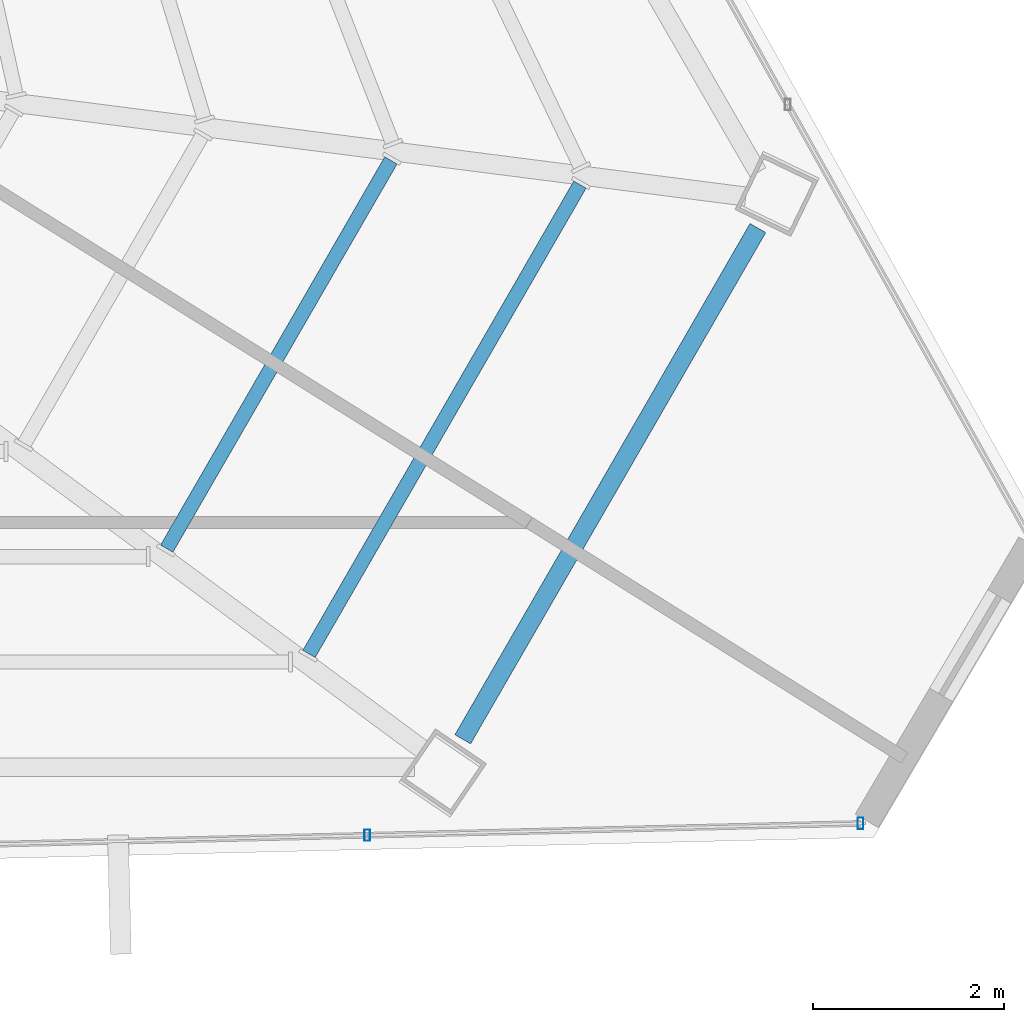
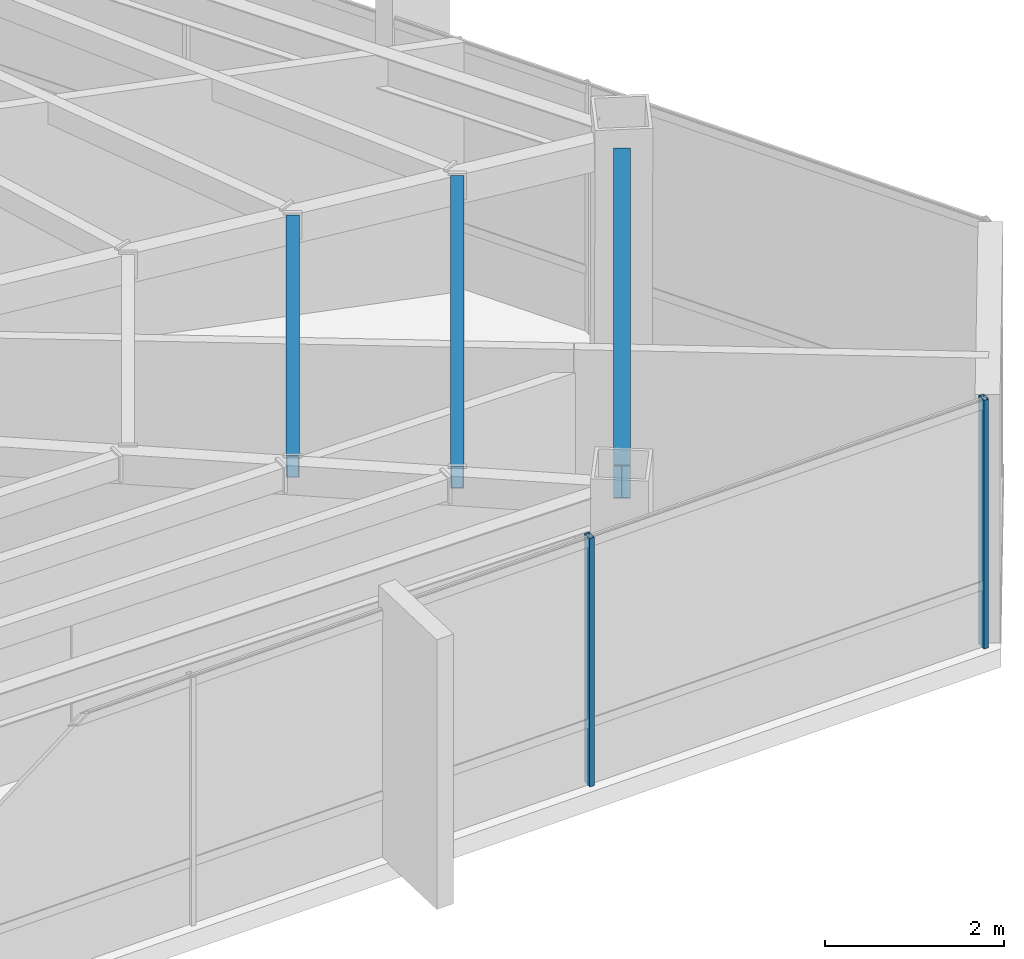
# One storey, part 21 of 48: 3 beams, 2 members, 1 element without a shape of its own.
"""IFC4 building model written with IfcOpenShell, lengths in metres."""

from ifc_helpers import new_model, si_unit, direction, frame, origin, origin_2d, place, context, subcontext, project, spatial, hollow_rectangle, i_section, extrude, source, transform, mapped, material, material_profile, profile_set, type_object, type_shapes, element, aggregate, save


model = new_model("IFC4")

# Units and contexts
model_context = context("Model", 3, precision=1e-05, world=origin(), true_north=direction((0.0, 1.0)))
body_context = subcontext(model_context, "Body", "Model", "MODEL_VIEW")
ifc_project = project(units=[si_unit("LENGTHUNIT", "METRE"), si_unit("AREAUNIT", "SQUARE_METRE"), si_unit("VOLUMEUNIT", "CUBIC_METRE"), si_unit("PLANEANGLEUNIT", "RADIAN"), si_unit("MASSUNIT", "GRAM", prefix="KILO")], contexts=[model_context])

# Site, building, storey
site_placement = place(None, origin())
site = spatial("IfcSite", under=ifc_project, at=site_placement, CompositionType="ELEMENT")
building_placement = place(site_placement, origin())
building = spatial("IfcBuilding", under=site, at=building_placement, Name="Caelisora Broadcast Tower", CompositionType="ELEMENT")
storey_placement = place(building_placement, frame((0.0, 0.0, 270.0)))
storey = spatial("IfcBuildingStorey", under=building, at=storey_placement, Name="L71", CompositionType="ELEMENT", Elevation=270.0)

# Beams
ifc_material_1 = material(Name="Steel Grade 350 (AS/NZS 3679.1)", Category="steel")
ifc_material_profile_1 = material_profile(ifc_material_1, i_section(OverallWidth=0.19091796875, OverallDepth=0.46044921875, WebThickness=0.010009765625, FlangeThickness=0.01611328125, at=origin_2d()), Name="Steel Grade 350 (AS/NZS 3679.1)")
ifc_profile_set_1 = profile_set([ifc_material_profile_1], Name="Steel Grade 350 (AS/NZS 3679.1)")
beam_type_1 = type_object("IfcBeamType", Name="PG06", PredefinedType="BEAM", material=ifc_profile_set_1)
shared_shape_1 = source(origin(), body_context, "Body", "SweptSolid", [
    extrude(i_section(OverallWidth=0.19091796875, OverallDepth=0.46044921875, WebThickness=0.010009765625, FlangeThickness=0.01611328125, at=origin_2d()), origin(), (0.0, 0.0, 1.0), 6.19189453125),
])
type_shapes(beam_type_1, [shared_shape_1])
beam_1_placement = place(storey_placement, frame((56.115234375, 9.96630859375, 3.169921875), z_axis=(0.500002326941, 0.86602406032, 0.0), x_axis=(-0.86602406032, 0.500002326941, 0.0)))
element("IfcBeam", 1, at=beam_1_placement, inside=storey, type_object=beam_type_1, Name="L71 beam PG06", PredefinedType="BEAM", context=body_context, shape_type="MappedRepresentation", body=[
    mapped(shared_shape_1, transform((0.0, 0.0, 0.0), scale=1.0)),
])
ifc_material_2 = material(Name="Steel Grade 350 (AS/NZS 1163 C350L0)", Category="steel")
ifc_material_profile_2 = material_profile(ifc_material_2, hollow_rectangle(XDim=0.14990234375, YDim=0.300048828125, WallThickness=0.010009765625, at=origin_2d()), Name="Steel Grade 350 (AS/NZS 1163 C350L0)")
ifc_profile_set_2 = profile_set([ifc_material_profile_2], Name="Steel Grade 350 (AS/NZS 1163 C350L0)")
beam_type_2 = type_object("IfcBeamType", Name="SB05", PredefinedType="JOIST", material=ifc_profile_set_2)
shared_shape_2 = source(origin(), body_context, "Body", "SweptSolid", [
    extrude(hollow_rectangle(XDim=0.14990234375, YDim=0.300048828125, WallThickness=0.010009765625, at=origin_2d()), origin(), (0.0, 0.0, 1.0), 4.70263671875),
])
beam_2_placement = place(storey_placement, frame((53.010498046875, 11.9658203125, 3.25), z_axis=(0.500008572427, 0.866020454435, 0.0), x_axis=(-0.866020454435, 0.500008572427, 0.0)))
element("IfcBeam", 2, at=beam_2_placement, inside=storey, type_object=beam_type_2, Name="L71 beam SB05", PredefinedType="JOIST", context=body_context, shape_type="MappedRepresentation", body=[
    mapped(shared_shape_2, transform((0.0, 0.0, 0.0), scale=1.0)),
])
shared_shape_3 = source(origin(), body_context, "Body", "SweptSolid", [
    extrude(hollow_rectangle(XDim=0.14990234375, YDim=0.300048828125, WallThickness=0.010009765625, at=origin_2d()), origin(), (0.0, 0.0, 1.0), 5.683837890625),
])
type_shapes(beam_type_2, [shared_shape_2, shared_shape_3])
beam_3_placement = place(storey_placement, frame((54.502685546875, 10.86181640625, 3.25), z_axis=(0.499982728352, 0.866035375346, 0.0), x_axis=(-0.866035375346, 0.499982728352, 0.0)))
element("IfcBeam", 3, at=beam_3_placement, inside=storey, type_object=beam_type_2, Name="L71 beam SB05", PredefinedType="JOIST", context=body_context, shape_type="MappedRepresentation", body=[
    mapped(shared_shape_3, transform((0.0, 0.0, 0.0), scale=1.0)),
])

# Curtain wall, members
ifc_material_3 = material(Name="Unitised Aluminium and Low-E Glass Curtain Wall", Category="glass")
curtain_wall_type = type_object("IfcCurtainWallType", Name="CW-Z5", PredefinedType="NOTDEFINED", material=ifc_material_3)
curtain_wall_placement = place(storey_placement, origin())
curtain_wall = element("IfcCurtainWall", 4, at=curtain_wall_placement, inside=storey, type_object=curtain_wall_type, Name="L71 curtain wall CW-Z5", PredefinedType="NOTDEFINED")
ifc_material_4 = material(Name="Aluminium 6063-T6 Anodised Terracotta Bronze", Category="aluminium")
ifc_material_profile_3 = material_profile(ifc_material_4, hollow_rectangle(XDim=0.06005859375, YDim=0.1201171875, WallThickness=0.0029296875, at=origin_2d()), Name="Aluminium 6063-T6 Anodised Terracotta Bronze")
ifc_profile_set_3 = profile_set([ifc_material_profile_3], Name="Aluminium 6063-T6 Anodised Terracotta Bronze")
member_type = type_object("IfcMemberType", Name="CWM-04", PredefinedType="MULLION", material=ifc_profile_set_3)
shared_shape_4 = source(origin(), body_context, "Body", "SweptSolid", [
    extrude(hollow_rectangle(XDim=0.06005859375, YDim=0.1201171875, WallThickness=0.0029296875, at=origin_2d()), origin(), (0.0, 0.0, 1.0), 3.39990234375),
])
type_shapes(member_type, [shared_shape_4])
member_1_placement = place(storey_placement, frame((60.2880859375, 9.083740234375, 0.0), z_axis=(0.0, 0.0, 1.0), x_axis=(1.0, 0.0, 0.0)))
member_1 = element("IfcMember", 5, at=member_1_placement, type_object=member_type, Name="L71-CW-B05 mullion #0", PredefinedType="MULLION", context=body_context, shape_type="MappedRepresentation", body=[
    mapped(shared_shape_4, transform((0.0, 0.0, 0.0), scale=1.0)),
])
member_2_placement = place(storey_placement, frame((55.114501953125, 8.95947265625, 0.0), z_axis=(0.0, 0.0, 1.0), x_axis=(1.0, 0.0, 0.0)))
member_2 = element("IfcMember", 6, at=member_2_placement, type_object=member_type, Name="L71-CW-B05 mullion #1", PredefinedType="MULLION", context=body_context, shape_type="MappedRepresentation", body=[
    mapped(shared_shape_4, transform((0.0, 0.0, 0.0), scale=1.0)),
])
aggregate(curtain_wall, [member_1, member_2])

save(model, "model.ifc")
